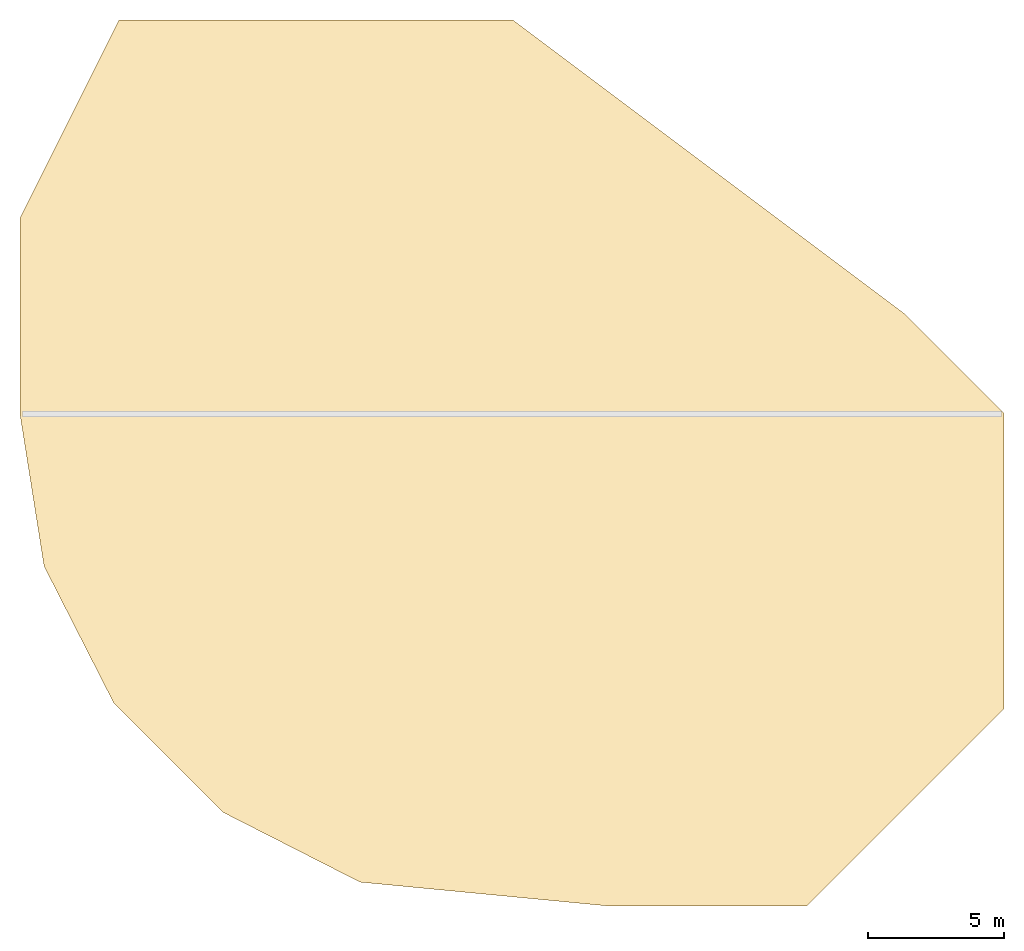
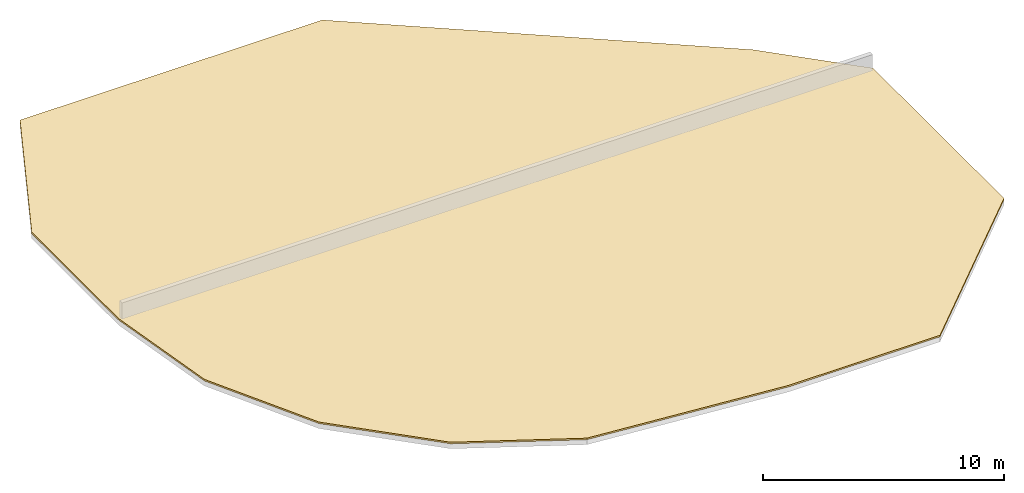
# One storey, part 2 of 2: 1 covering.
"""IFC4 building model written with IfcOpenShell, lengths in metres."""

import ifcopenshell
import ifcopenshell.guid

model = None  # the IFC model being written
_history = None  # IfcOwnerHistory: only IFC2X3 demands one
_inside = {}  # id of a spatial element -> (the spatial element, [elements in it])
_under = {}  # id of a project, library or spatial element -> (it, [spatial elements below it])
_declared = {}  # id of a project -> (the project, [libraries it declares])
_typed = {}  # id of a type object -> (the type object, [elements of that type])
_made_of = {}  # id of a material, layer set ... -> (it, [elements and type objects made of it])


def new_model(schema):
    """Start an empty IFC model of exactly this schema.

    Asked for "IFC4X3", IfcOpenShell would pick the latest addendum, in which some entities
    have other attributes; the version numbers below select the first issue.
    IFC2X3 requires an IfcOwnerHistory on every rooted entity: one is made here for all.
    """
    global model, _history
    if schema == "IFC4X3":
        model = ifcopenshell.file(schema_version=(4, 3, 0, 0))
    else:
        model = ifcopenshell.file(schema=schema)
    _inside.clear()
    _under.clear()
    _declared.clear()
    _typed.clear()
    _made_of.clear()
    _history = None
    if model.schema == "IFC2X3":
        org = make("IfcOrganization", Name="unknown")
        user = make(
            "IfcPersonAndOrganization",
            ThePerson=make("IfcPerson", FamilyName="unknown"),
            TheOrganization=org,
        )
        app = make(
            "IfcApplication",
            ApplicationDeveloper=org,
            Version="unknown",
            ApplicationFullName="unknown",
            ApplicationIdentifier="unknown",
        )
        _history = make(
            "IfcOwnerHistory",
            OwningUser=user,
            OwningApplication=app,
            ChangeAction="ADDED",
            CreationDate=0,
        )
    return model


def make(cls, **values):
    """One entity of the class cls with the attributes given. An attribute that is None is left unset."""
    return model.create_entity(
        cls, **{name: value for name, value in values.items() if value is not None}
    )


def rooted(cls, **values):
    """An entity with a GlobalId (a new one), such as an element, a storey or a relation."""
    return make(cls, GlobalId=ifcopenshell.guid.new(), OwnerHistory=_history, **values)


def si_unit(unit_type, name, prefix=None):
    """IfcSIUnit, for example si_unit("LENGTHUNIT", "METRE", prefix="MILLI")."""
    return make("IfcSIUnit", UnitType=unit_type, Prefix=prefix, Name=name)


def assignment(units):
    """IfcUnitAssignment: the units of a project."""
    return None if units is None else make("IfcUnitAssignment", Units=units)


def point(xyz):
    """IfcCartesianPoint."""
    return None if xyz is None else make("IfcCartesianPoint", Coordinates=xyz)


def direction(xyz):
    """IfcDirection."""
    return None if xyz is None else make("IfcDirection", DirectionRatios=xyz)


def frame(location, z_axis=None, x_axis=None):
    """IfcAxis2Placement3D, a coordinate frame: its origin and axes. An axis left out is left unset."""
    return make(
        "IfcAxis2Placement3D",
        Location=point(location),
        Axis=direction(z_axis),
        RefDirection=direction(x_axis),
    )


def origin():
    """The frame at (0, 0, 0) with its axes left unset."""
    return frame((0.0, 0.0, 0.0))


def place(relative_to, where):
    """IfcLocalPlacement: puts the frame where relative to a parent placement (None: the world)."""
    return make(
        "IfcLocalPlacement", PlacementRelTo=relative_to, RelativePlacement=where
    )


def context(
    kind, dimensions, precision=None, world=None, true_north=None, identifier=None
):
    """IfcGeometricRepresentationContext, for example the 3D "Model" context."""
    return make(
        "IfcGeometricRepresentationContext",
        ContextIdentifier=identifier,
        ContextType=kind,
        CoordinateSpaceDimension=dimensions,
        Precision=precision,
        WorldCoordinateSystem=world,
        TrueNorth=true_north,
    )


def subcontext(parent, identifier, kind, view, scale=None):
    """IfcGeometricRepresentationSubContext, for example "Body" below "Model"."""
    return make(
        "IfcGeometricRepresentationSubContext",
        ContextIdentifier=identifier,
        ContextType=kind,
        ParentContext=parent,
        TargetScale=scale,
        TargetView=view,
    )


def project(units=None, contexts=None):
    """IfcProject with its units and contexts."""
    return rooted(
        "IfcProject",
        Name="project",
        RepresentationContexts=contexts,
        UnitsInContext=assignment(units),
    )


def spatial(cls, under=None, at=None, **own):
    """A site, building, storey or space (cls), placed at a placement, below another one or the project."""
    s = rooted(cls, ObjectPlacement=at, **own)
    if under is not None:
        _under.setdefault(under.id(), (under, []))[1].append(s)
    return s


def polyline(points):
    """IfcPolyline through the points."""
    return make("IfcPolyline", Points=[point(p) for p in points])


def outline(outer, holes=None, kind="AREA"):
    """IfcArbitraryClosedProfileDef: a profile drawn as a closed curve; with holes, ...WithVoids."""
    if holes is None:
        return make("IfcArbitraryClosedProfileDef", ProfileType=kind, OuterCurve=outer)
    return make(
        "IfcArbitraryProfileDefWithVoids",
        ProfileType=kind,
        OuterCurve=outer,
        InnerCurves=holes,
    )


def extrude(swept, where, along, depth):
    """IfcExtrudedAreaSolid: the profile swept, set in the frame where, extruded along a direction by depth."""
    return make(
        "IfcExtrudedAreaSolid",
        SweptArea=swept,
        Position=where,
        ExtrudedDirection=direction(along),
        Depth=depth,
    )


def shape(context_of_items, identifier, shape_type, items):
    """IfcShapeRepresentation: the items that make up one representation, for example the "Body"."""
    return make(
        "IfcShapeRepresentation",
        ContextOfItems=context_of_items,
        RepresentationIdentifier=identifier,
        RepresentationType=shape_type,
        Items=items,
    )


def material(Name=None, Category=None):
    """IfcMaterial."""
    return make("IfcMaterial", Name=Name, Category=Category)


def layer(
    of_material, thickness, ventilated=None, Name=None, Category=None, Priority=None
):
    """IfcMaterialLayer: one layer of a wall or slab, of a material (None: an air gap)."""
    return make(
        "IfcMaterialLayer",
        Material=of_material,
        LayerThickness=thickness,
        IsVentilated=ventilated,
        Name=Name,
        Category=Category,
        Priority=Priority,
    )


def layer_set(layers, Name=None):
    """IfcMaterialLayerSet."""
    return make("IfcMaterialLayerSet", MaterialLayers=layers, LayerSetName=Name)


def made_of(thing, what):
    """Note that an element or type object is made of a material, layer set ...; save() writes the relation."""
    if what is not None:
        _made_of.setdefault(what.id(), (what, []))[1].append(thing)
    return thing


def type_object(cls, material=None, **own):
    """A type object (cls), such as IfcWallType, which elements share."""
    return made_of(rooted(cls, **own), material)


def element(
    cls,
    number,
    at=None,
    inside=None,
    cuts=None,
    type_object=None,
    material=None,
    context=None,
    identifier="Body",
    shape_type=None,
    held_by="IfcProductDefinitionShape",
    body=None,
    shapes=None,
    **own,
):
    """One element of the class cls, such as IfcWall. Its Tag is "e" and its number.

    at: its placement. inside: the storey or other place that contains it. cuts: it is an
    opening in that element (IfcRelVoidsElement). A single representation is given by context,
    identifier, shape_type and body (its items); several are given by shapes. held_by: the class
    of the entity that holds the representations. save() writes the other relations.
    """
    e = rooted(cls, Tag="e%d" % number, ObjectPlacement=at, **own)
    if body is not None:
        shapes = [shape(context, identifier, shape_type, body)]
    if shapes is not None:
        e.Representation = make(held_by, Representations=shapes)
    if inside is not None:
        _inside.setdefault(inside.id(), (inside, []))[1].append(e)
    if cuts is not None:
        rooted(
            "IfcRelVoidsElement", RelatingBuildingElement=cuts, RelatedOpeningElement=e
        )
    if type_object is not None:
        _typed.setdefault(type_object.id(), (type_object, []))[1].append(e)
    return made_of(e, material)


def aggregate(whole, parts):
    """IfcRelAggregates: a whole, such as a stair, and the parts it consists of."""
    return rooted("IfcRelAggregates", RelatingObject=whole, RelatedObjects=parts)


def save(model, path):
    """Write the relations noted so far, then the file.

    IfcRelAggregates (storeys below a building ...), IfcRelContainedInSpatialStructure (elements
    in a storey), IfcRelDefinesByType, IfcRelAssociatesMaterial and IfcRelDeclares: one each for
    every whole, place, type object, material and project.
    """
    for whole, parts in _under.values():
        aggregate(whole, parts)
    for where, things in _inside.values():
        rooted(
            "IfcRelContainedInSpatialStructure",
            RelatedElements=things,
            RelatingStructure=where,
        )
    for kind, things in _typed.values():
        rooted("IfcRelDefinesByType", RelatedObjects=things, RelatingType=kind)
    for what, things in _made_of.values():
        rooted("IfcRelAssociatesMaterial", RelatedObjects=things, RelatingMaterial=what)
    for by, libraries in _declared.values():
        rooted("IfcRelDeclares", RelatingContext=by, RelatedDefinitions=libraries)
    model.write(path)


model = new_model("IFC4")

# Units and contexts
model_context = context("Model", 3, precision=1e-05, world=origin(), true_north=direction((0.0, 1.0)))
body_context = subcontext(model_context, "Body", "Model", "MODEL_VIEW")
ifc_project = project(units=[si_unit("LENGTHUNIT", "METRE"), si_unit("AREAUNIT", "SQUARE_METRE"), si_unit("VOLUMEUNIT", "CUBIC_METRE"), si_unit("PLANEANGLEUNIT", "RADIAN"), si_unit("MASSUNIT", "GRAM", prefix="KILO")], contexts=[model_context])

# Site, building, storey
site_placement = place(None, origin())
site = spatial("IfcSite", under=ifc_project, at=site_placement, CompositionType="ELEMENT")
building_placement = place(site_placement, origin())
building = spatial("IfcBuilding", under=site, at=building_placement, Name="Solnavia Interchange Tower", CompositionType="ELEMENT")
storey_placement = place(building_placement, frame((0.0, 0.0, 331.199951171875)))
storey = spatial("IfcBuildingStorey", under=building, at=storey_placement, Name="ROOF", CompositionType="ELEMENT", Elevation=331.199951171875)

# Covering
ifc_material = material(Name="TPO Waterproofing & Ballast", Category="membrane")
ifc_layer = layer(ifc_material, 0.080078125)
ifc_layer_set = layer_set([ifc_layer], Name="TPO Waterproofing & Ballast")
covering_type = type_object("IfcCoveringType", Name="Covering-RoofMembrane-80", PredefinedType="ROOFING", material=ifc_layer_set)
covering_placement = place(storey_placement, origin())
element("IfcCovering", 1, at=covering_placement, inside=storey, type_object=covering_type, Name="RFG-C06-01 Crown top roof waterproofing membrane", PredefinedType="ROOFING", context=body_context, shape_type="SweptSolid", body=[
    extrude(outline(polyline([(43.300048828125, 21.64111328125), (43.300048828125, 10.759033203125), (36.041015625, 3.5), (28.794921875, 3.5), (19.610107421875, 4.383056640625), (14.56005859375, 6.9560546875), (10.555908203125, 10.9599609375), (7.985107421875, 16.007080078125), (7.10009765625, 21.592041015625), (7.10009765625, 28.823974609375), (10.738037109375, 36.10009765625), (25.23291015625, 36.10009765625), (30.06005859375, 32.47998046875), (34.860107421875, 28.8798828125), (39.666015625, 25.27587890625), (43.300048828125, 21.64111328125)])), origin(), (0.0, 0.0, 1.0), 0.080078125),
])

save(model, "model.ifc")
